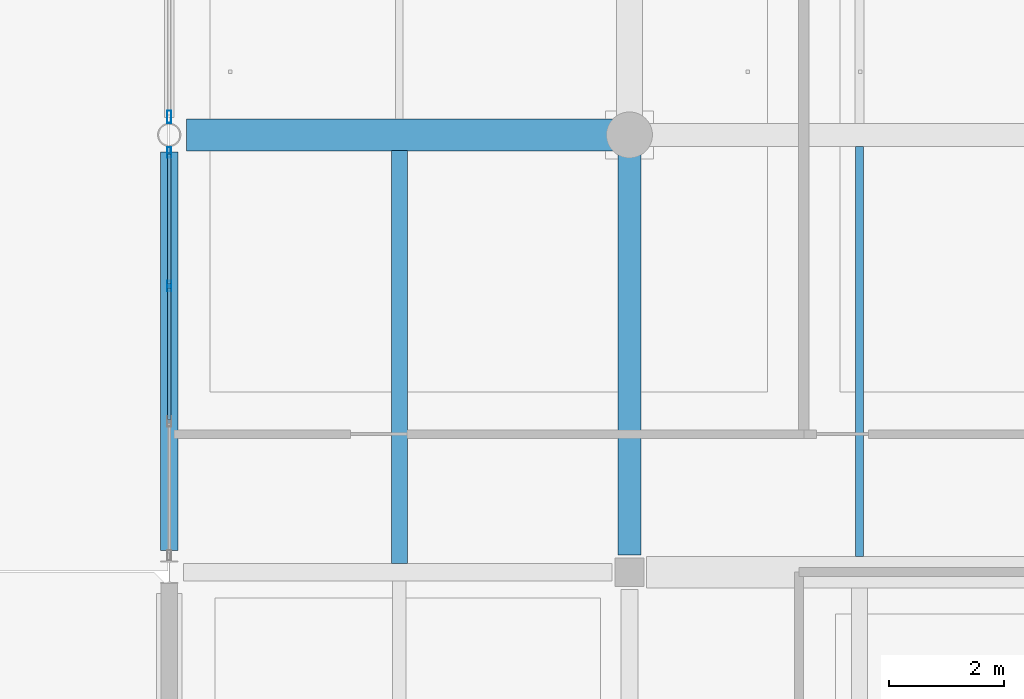
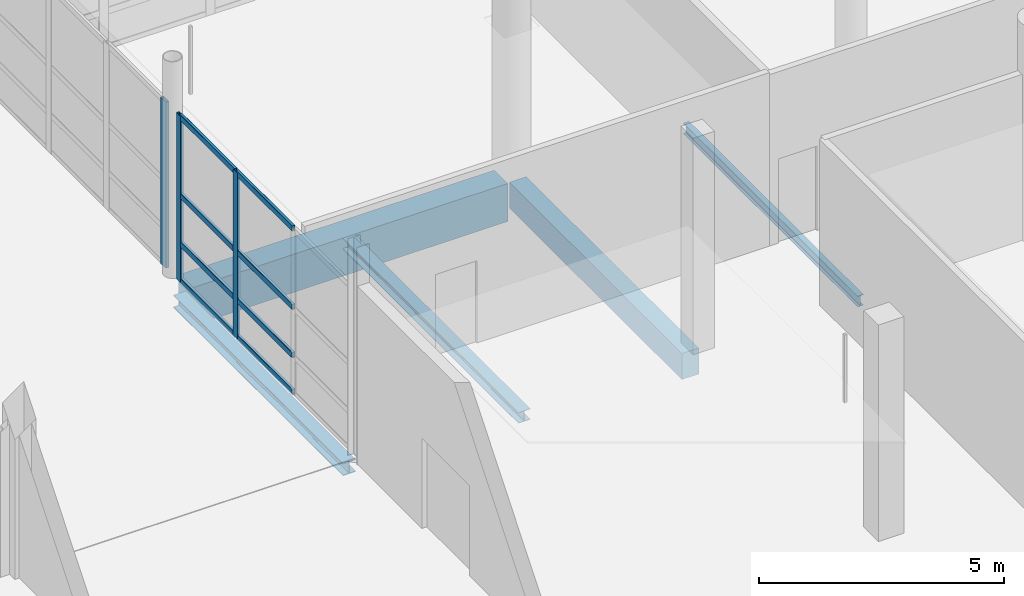
# One storey, part 35 of 126: 11 members, 5 beams, 2 elements without a shape of their own.
"""IFC4 building model written with IfcOpenShell, lengths in metres."""

from ifc_helpers import new_model, si_unit, direction, frame, origin, origin_2d, place, context, subcontext, project, spatial, rectangle, hollow_rectangle, i_section, extrude, material, material_profile, profile_set, type_object, element, aggregate, save


model = new_model("IFC4")

# Units and contexts
model_context = context("Model", 3, precision=1e-05, world=origin(), true_north=direction((0.0, 1.0)))
body_context = subcontext(model_context, "Body", "Model", "MODEL_VIEW")
ifc_project = project(units=[si_unit("LENGTHUNIT", "METRE"), si_unit("AREAUNIT", "SQUARE_METRE"), si_unit("VOLUMEUNIT", "CUBIC_METRE"), si_unit("PLANEANGLEUNIT", "RADIAN"), si_unit("MASSUNIT", "GRAM", prefix="KILO")], contexts=[model_context])

# Site, building, storey
site_placement = place(None, origin())
site = spatial("IfcSite", under=ifc_project, at=site_placement, CompositionType="ELEMENT")
building_placement = place(site_placement, origin())
building = spatial("IfcBuilding", under=site, at=building_placement, Name="Khelvaren Railside Concert Hall", CompositionType="ELEMENT")
storey_placement = place(building_placement, origin())
storey = spatial("IfcBuildingStorey", under=building, at=storey_placement, Name="L00", CompositionType="ELEMENT", Elevation=0.0)

# Beam
ifc_material_1 = material(Name="Concrete C40/50", Category="concrete")
ifc_material_profile_1 = material_profile(ifc_material_1, rectangle(XDim=0.39990234375, YDim=0.64990234375, at=origin_2d()), Name="RCB 400x650")
ifc_profile_set_1 = profile_set([ifc_material_profile_1], Name="Concrete C40/50")
beam_type_1 = type_object("IfcBeamType", Name="BM33", PredefinedType="BEAM", material=ifc_profile_set_1)
beam_1_placement = place(storey_placement, frame((152.0, 23.10009765625, -0.64501953125), z_axis=(0.0, 1.0, 0.0), x_axis=(-1.0, 0.0, 0.0)))
element("IfcBeam", 1, at=beam_1_placement, inside=storey, type_object=beam_type_1, Name="V2 L00 Beam Y2.4", PredefinedType="BEAM", context=body_context, shape_type="SweptSolid", body=[
    extrude(rectangle(XDim=0.39990234375, YDim=0.64990234375, at=origin_2d()), origin(), (0.0, 0.0, 1.0), 7.0498046875),
])

# Curtain wall, member
ifc_material_2 = material(Name="Double-glazed clear foyer glass", Category="glass")
curtain_wall_type_1 = type_object("IfcCurtainWallType", Name="CW64", PredefinedType="USERDEFINED", material=ifc_material_2)
curtain_wall_1_placement = place(storey_placement, origin())
curtain_wall_1 = element("IfcCurtainWall", 2, at=curtain_wall_1_placement, inside=storey, type_object=curtain_wall_type_1, Name="Unitised Curtain Wall CW-V2-L00-W-30", ObjectType="UNITISED CURTAIN WALL", PredefinedType="USERDEFINED")
ifc_material_3 = material(Name="Anodised architectural aluminium 6063-T6", Category="aluminium")
ifc_material_profile_2 = material_profile(ifc_material_3, hollow_rectangle(XDim=0.074951171875, YDim=0.219970703125, WallThickness=0.0048828125, InnerFilletRadius=0.0029296875, OuterFilletRadius=0.0048828125, at=origin_2d()), Name="CWM 75x220x5")
ifc_profile_set_2 = profile_set([ifc_material_profile_2], Name="Anodised architectural aluminium 6063-T6")
member_type_1 = type_object("IfcMemberType", Name="CWM13", PredefinedType="MULLION", material=ifc_profile_set_2)
member_1_placement = place(storey_placement, frame((144.0, 30.713134765625, 0.0), z_axis=(0.0, 0.0, 1.0), x_axis=(-1.0, 0.0, 0.0)))
member_1 = element("IfcMember", 3, at=member_1_placement, type_object=member_type_1, Name="CW64 mullion 1", PredefinedType="MULLION", context=body_context, shape_type="SweptSolid", body=[
    extrude(hollow_rectangle(XDim=0.074951171875, YDim=0.219970703125, WallThickness=0.0048828125, InnerFilletRadius=0.0029296875, OuterFilletRadius=0.0048828125, at=origin_2d()), origin(), (0.0, 0.0, 1.0), 4.139892578125),
])
aggregate(curtain_wall_1, [member_1])

# Curtain wall, members
ifc_material_4 = material(Name="Double-glazed low-E dark acoustic glass", Category="glass")
curtain_wall_type_2 = type_object("IfcCurtainWallType", Name="CW94", PredefinedType="USERDEFINED", material=ifc_material_4)
curtain_wall_2_placement = place(storey_placement, origin())
curtain_wall_2 = element("IfcCurtainWall", 4, at=curtain_wall_2_placement, inside=storey, type_object=curtain_wall_type_2, Name="Unitised Curtain Wall CW-V2-L00-W-23", ObjectType="UNITISED CURTAIN WALL", PredefinedType="USERDEFINED")
ifc_material_profile_3 = material_profile(ifc_material_3, hollow_rectangle(XDim=0.06494140625, YDim=0.179931640625, WallThickness=0.00390625, InnerFilletRadius=0.001953125, OuterFilletRadius=0.00390625, at=origin_2d()), Name="CWM 65x180x4")
ifc_profile_set_3 = profile_set([ifc_material_profile_3], Name="Anodised architectural aluminium 6063-T6")
member_type_2 = type_object("IfcMemberType", Name="CWM63", PredefinedType="MULLION", material=ifc_profile_set_3)
member_2_placement = place(storey_placement, frame((144.0, 27.773681640625, 0.0), z_axis=(0.0, 0.0, 1.0), x_axis=(-1.0, 0.0, 0.0)))
member_2 = element("IfcMember", 5, at=member_2_placement, type_object=member_type_2, Name="CW94 mullion 3", PredefinedType="MULLION", context=body_context, shape_type="SweptSolid", body=[
    extrude(hollow_rectangle(XDim=0.06494140625, YDim=0.179931640625, WallThickness=0.00390625, InnerFilletRadius=0.001953125, OuterFilletRadius=0.00390625, at=origin_2d()), origin(), (0.0, 0.0, 1.0), 4.139892578125),
])
member_3_placement = place(storey_placement, frame((144.0, 30.0966796875, 0.0), z_axis=(0.0, 0.0, 1.0), x_axis=(-1.0, 0.0, 0.0)))
member_3 = element("IfcMember", 6, at=member_3_placement, type_object=member_type_2, Name="CW94 mullion 4", PredefinedType="MULLION", context=body_context, shape_type="SweptSolid", body=[
    extrude(hollow_rectangle(XDim=0.06494140625, YDim=0.179931640625, WallThickness=0.00390625, InnerFilletRadius=0.001953125, OuterFilletRadius=0.00390625, at=origin_2d()), origin(), (0.0, 0.0, 1.0), 4.139892578125),
])
ifc_material_profile_4 = material_profile(ifc_material_3, hollow_rectangle(XDim=0.06494140625, YDim=0.139892578125, WallThickness=0.00390625, InnerFilletRadius=0.001953125, OuterFilletRadius=0.00390625, at=origin_2d()), Name="CWT 65x140x4")
ifc_profile_set_4 = profile_set([ifc_material_profile_4], Name="Anodised architectural aluminium 6063-T6")
member_type_3 = type_object("IfcMemberType", Name="CWT72", PredefinedType="USERDEFINED", material=ifc_profile_set_4)
member_4_placement = place(storey_placement, frame((144.0, 25.45068359375, 0.032470703125), z_axis=(0.0, 1.0, 0.0), x_axis=(-1.0, 0.0, 0.0)))
member_4 = element("IfcMember", 7, at=member_4_placement, type_object=member_type_3, Name="CW94 transom 2.1", ObjectType="TRANSOM", PredefinedType="USERDEFINED", context=body_context, shape_type="SweptSolid", body=[
    extrude(hollow_rectangle(XDim=0.06494140625, YDim=0.139892578125, WallThickness=0.00390625, InnerFilletRadius=0.001953125, OuterFilletRadius=0.00390625, at=origin_2d()), origin(), (0.0, 0.0, 1.0), 2.29052734375),
])
member_5_placement = place(storey_placement, frame((144.0, 25.45068359375, 0.949951171875), z_axis=(0.0, 1.0, 0.0), x_axis=(-1.0, 0.0, 0.0)))
member_5 = element("IfcMember", 8, at=member_5_placement, type_object=member_type_3, Name="CW94 transom 2.2", ObjectType="TRANSOM", PredefinedType="USERDEFINED", context=body_context, shape_type="SweptSolid", body=[
    extrude(hollow_rectangle(XDim=0.06494140625, YDim=0.139892578125, WallThickness=0.00390625, InnerFilletRadius=0.001953125, OuterFilletRadius=0.00390625, at=origin_2d()), origin(), (0.0, 0.0, 1.0), 2.29052734375),
])
member_6_placement = place(storey_placement, frame((144.0, 25.45068359375, 2.15283203125), z_axis=(0.0, 1.0, 0.0), x_axis=(-1.0, 0.0, 0.0)))
member_6 = element("IfcMember", 9, at=member_6_placement, type_object=member_type_3, Name="CW94 transom 2.3", ObjectType="TRANSOM", PredefinedType="USERDEFINED", context=body_context, shape_type="SweptSolid", body=[
    extrude(hollow_rectangle(XDim=0.06494140625, YDim=0.139892578125, WallThickness=0.00390625, InnerFilletRadius=0.001953125, OuterFilletRadius=0.00390625, at=origin_2d()), origin(), (0.0, 0.0, 1.0), 2.29052734375),
])
member_7_placement = place(storey_placement, frame((144.0, 25.45068359375, 4.107421875), z_axis=(0.0, 1.0, 0.0), x_axis=(-1.0, 0.0, 0.0)))
member_7 = element("IfcMember", 10, at=member_7_placement, type_object=member_type_3, Name="CW94 transom 2.4", ObjectType="TRANSOM", PredefinedType="USERDEFINED", context=body_context, shape_type="SweptSolid", body=[
    extrude(hollow_rectangle(XDim=0.06494140625, YDim=0.139892578125, WallThickness=0.00390625, InnerFilletRadius=0.001953125, OuterFilletRadius=0.00390625, at=origin_2d()), origin(), (0.0, 0.0, 1.0), 2.29052734375),
])
member_8_placement = place(storey_placement, frame((144.0, 27.80615234375, 0.032470703125), z_axis=(0.0, 1.0, 0.0), x_axis=(-1.0, 0.0, 0.0)))
member_8 = element("IfcMember", 11, at=member_8_placement, type_object=member_type_3, Name="CW94 transom 3.1", ObjectType="TRANSOM", PredefinedType="USERDEFINED", context=body_context, shape_type="SweptSolid", body=[
    extrude(hollow_rectangle(XDim=0.06494140625, YDim=0.139892578125, WallThickness=0.00390625, InnerFilletRadius=0.001953125, OuterFilletRadius=0.00390625, at=origin_2d()), origin(), (0.0, 0.0, 1.0), 2.258056640625),
])
member_9_placement = place(storey_placement, frame((144.0, 27.80615234375, 0.949951171875), z_axis=(0.0, 1.0, 0.0), x_axis=(-1.0, 0.0, 0.0)))
member_9 = element("IfcMember", 12, at=member_9_placement, type_object=member_type_3, Name="CW94 transom 3.2", ObjectType="TRANSOM", PredefinedType="USERDEFINED", context=body_context, shape_type="SweptSolid", body=[
    extrude(hollow_rectangle(XDim=0.06494140625, YDim=0.139892578125, WallThickness=0.00390625, InnerFilletRadius=0.001953125, OuterFilletRadius=0.00390625, at=origin_2d()), origin(), (0.0, 0.0, 1.0), 2.258056640625),
])
member_10_placement = place(storey_placement, frame((144.0, 27.80615234375, 2.15283203125), z_axis=(0.0, 1.0, 0.0), x_axis=(-1.0, 0.0, 0.0)))
member_10 = element("IfcMember", 13, at=member_10_placement, type_object=member_type_3, Name="CW94 transom 3.3", ObjectType="TRANSOM", PredefinedType="USERDEFINED", context=body_context, shape_type="SweptSolid", body=[
    extrude(hollow_rectangle(XDim=0.06494140625, YDim=0.139892578125, WallThickness=0.00390625, InnerFilletRadius=0.001953125, OuterFilletRadius=0.00390625, at=origin_2d()), origin(), (0.0, 0.0, 1.0), 2.258056640625),
])
member_11_placement = place(storey_placement, frame((144.0, 27.80615234375, 4.107421875), z_axis=(0.0, 1.0, 0.0), x_axis=(-1.0, 0.0, 0.0)))
member_11 = element("IfcMember", 14, at=member_11_placement, type_object=member_type_3, Name="CW94 transom 3.4", ObjectType="TRANSOM", PredefinedType="USERDEFINED", context=body_context, shape_type="SweptSolid", body=[
    extrude(hollow_rectangle(XDim=0.06494140625, YDim=0.139892578125, WallThickness=0.00390625, InnerFilletRadius=0.001953125, OuterFilletRadius=0.00390625, at=origin_2d()), origin(), (0.0, 0.0, 1.0), 2.258056640625),
])
aggregate(curtain_wall_2, [member_2, member_3, member_4, member_5, member_6, member_7, member_8, member_9, member_10, member_11])

# Beams
ifc_material_profile_5 = material_profile(ifc_material_1, rectangle(XDim=0.550048828125, YDim=0.949951171875, at=origin_2d()), Name="RCB 550x950")
ifc_profile_set_5 = profile_set([ifc_material_profile_5], Name="Concrete C40/50")
beam_type_2 = type_object("IfcBeamType", Name="GR57", PredefinedType="T_BEAM", material=ifc_profile_set_5)
beam_2_placement = place(storey_placement, frame((144.300048828125, 30.39990234375, -0.794921875), z_axis=(1.0, 0.0, 0.0), x_axis=(0.0, 1.0, 0.0)))
element("IfcBeam", 15, at=beam_2_placement, inside=storey, type_object=beam_type_2, Name="V2 L00 T_Beam X5.1", PredefinedType="T_BEAM", context=body_context, shape_type="SweptSolid", body=[
    extrude(rectangle(XDim=0.550048828125, YDim=0.949951171875, at=origin_2d()), origin(), (0.0, 0.0, 1.0), 7.449951171875),
])
ifc_material_5 = material(Name="Steel S355", Category="steel")
ifc_material_profile_6 = material_profile(ifc_material_5, i_section(OverallWidth=0.280029296875, OverallDepth=0.27001953125, WebThickness=0.008056640625, FlangeThickness=0.012939453125, FilletRadius=0.02392578125, at=origin_2d()), Name="HEA 280")
ifc_profile_set_6 = profile_set([ifc_material_profile_6], Name="Steel S355")
beam_type_3 = type_object("IfcBeamType", Name="JS46", PredefinedType="JOIST", material=ifc_profile_set_6)
beam_3_placement = place(storey_placement, frame((148.0, 22.949951171875, -0.455078125), z_axis=(0.0, 1.0, 0.0), x_axis=(-1.0, 0.0, 0.0)))
element("IfcBeam", 16, at=beam_3_placement, inside=storey, type_object=beam_type_3, Name="V2 L00 Secondary Joist 1.4", PredefinedType="JOIST", context=body_context, shape_type="SweptSolid", body=[
    extrude(i_section(OverallWidth=0.280029296875, OverallDepth=0.27001953125, WebThickness=0.008056640625, FlangeThickness=0.012939453125, FilletRadius=0.02392578125, at=origin_2d()), origin(), (0.0, 0.0, 1.0), 7.175048828125),
])
ifc_material_profile_7 = material_profile(ifc_material_5, i_section(OverallWidth=0.135009765625, OverallDepth=0.27001953125, WebThickness=0.006591796875, FlangeThickness=0.01025390625, FilletRadius=0.014892578125, at=origin_2d()), Name="IPE 270")
ifc_profile_set_7 = profile_set([ifc_material_profile_7], Name="Steel S355")
beam_type_4 = type_object("IfcBeamType", Name="JS78", PredefinedType="JOIST", material=ifc_profile_set_7)
beam_4_placement = place(storey_placement, frame((156.0, 23.074951171875, -0.455078125), z_axis=(0.0, 1.0, 0.0), x_axis=(-1.0, 0.0, 0.0)))
element("IfcBeam", 17, at=beam_4_placement, inside=storey, type_object=beam_type_4, Name="V2 L00 Secondary Joist 2.4", PredefinedType="JOIST", context=body_context, shape_type="SweptSolid", body=[
    extrude(i_section(OverallWidth=0.135009765625, OverallDepth=0.27001953125, WebThickness=0.006591796875, FlangeThickness=0.01025390625, FilletRadius=0.014892578125, at=origin_2d()), origin(), (0.0, 0.0, 1.0), 7.125),
])
ifc_material_profile_8 = material_profile(ifc_material_5, i_section(OverallWidth=0.300048828125, OverallDepth=0.31005859375, WebThickness=0.009033203125, FlangeThickness=0.015380859375, FilletRadius=0.027099609375, at=origin_2d()), Name="HEA 320")
ifc_profile_set_8 = profile_set([ifc_material_profile_8], Name="Steel S355")
beam_type_5 = type_object("IfcBeamType", Name="SP66", PredefinedType="SPANDREL", material=ifc_profile_set_8)
beam_5_placement = place(storey_placement, frame((144.0, 23.175048828125, -0.47509765625), z_axis=(0.0, 1.0, 0.0), x_axis=(-1.0, 0.0, 0.0)))
element("IfcBeam", 18, at=beam_5_placement, inside=storey, type_object=beam_type_5, Name="V2 L00 Spandrel Y1.4", PredefinedType="SPANDREL", context=body_context, shape_type="SweptSolid", body=[
    extrude(i_section(OverallWidth=0.300048828125, OverallDepth=0.31005859375, WebThickness=0.009033203125, FlangeThickness=0.015380859375, FilletRadius=0.027099609375, at=origin_2d()), origin(), (0.0, 0.0, 1.0), 6.925048828125),
])

save(model, "model.ifc")
